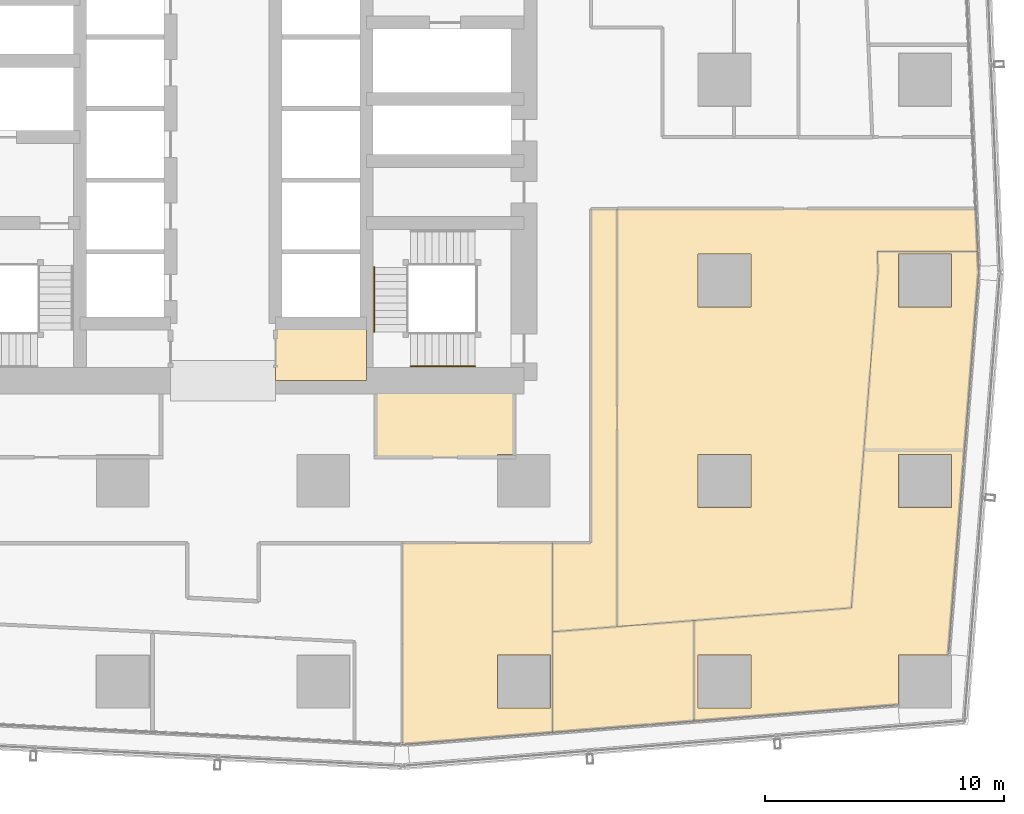
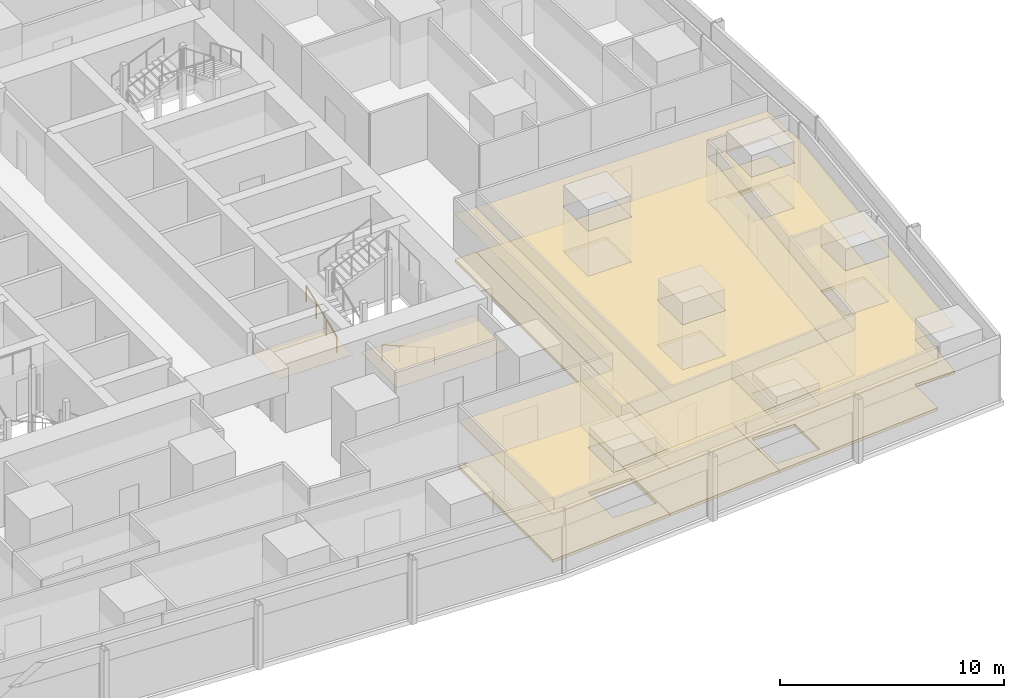
# One storey, part 39 of 45: 12 coverings, 2 railings.
"""IFC4 building model written with IfcOpenShell, lengths in metres."""

from ifc_helpers import new_model, si_unit, direction, frame, origin, origin_2d, place, context, subcontext, project, spatial, polyline, circle, outline, extrude, material, layer, layer_set, type_object, element, save


model = new_model("IFC4")

# Units and contexts
model_context = context("Model", 3, precision=1e-05, world=origin(), true_north=direction((0.0, 1.0)))
body_context = subcontext(model_context, "Body", "Model", "MODEL_VIEW")
ifc_project = project(units=[si_unit("LENGTHUNIT", "METRE"), si_unit("AREAUNIT", "SQUARE_METRE"), si_unit("VOLUMEUNIT", "CUBIC_METRE"), si_unit("PLANEANGLEUNIT", "RADIAN"), si_unit("MASSUNIT", "GRAM", prefix="KILO")], contexts=[model_context])

# Site, building, storey
site_placement = place(None, origin())
site = spatial("IfcSite", under=ifc_project, at=site_placement, CompositionType="ELEMENT")
building_placement = place(site_placement, origin())
building = spatial("IfcBuilding", under=site, at=building_placement, Name="Rekha Terrace Tower", CompositionType="ELEMENT")
storey_placement = place(building_placement, frame((0.0, 0.0, 44.14990234375)))
storey = spatial("IfcBuildingStorey", under=building, at=storey_placement, Name="L10", CompositionType="ELEMENT", Elevation=44.14990234375)

# Coverings
ifc_material_1 = material(Name="Mineral fibre tile in exposed grid", Category="finish")
ifc_layer_1 = layer(ifc_material_1, 0.02001953125)
ifc_layer_set_1 = layer_set([ifc_layer_1], Name="Mineral fibre tile in exposed grid")
covering_type_1 = type_object("IfcCoveringType", Name="CL1 600x1200 office grid ceiling", PredefinedType="CEILING", material=ifc_layer_set_1)
covering_1_placement = place(storey_placement, frame((0.0, 0.0, 2.580078125)))
element("IfcCovering", 1, at=covering_1_placement, inside=storey, type_object=covering_type_1, Name="Ceiling L10-02", PredefinedType="CEILING", context=body_context, shape_type="SweptSolid", body=[
    extrude(outline(polyline([(57.52587890625, 6.743896484375), (57.52587890625, 10.95703125), (51.60302734375, 10.48291015625), (51.60302734375, 6.26904296875), (57.52587890625, 6.743896484375)])), origin(), (0.0, 0.0, 1.0), 0.02001953125),
])
covering_2_placement = place(storey_placement, frame((0.0, 0.0, 2.580078125)))
element("IfcCovering", 2, at=covering_2_placement, inside=storey, type_object=covering_type_1, Name="Ceiling L10-03", PredefinedType="CEILING", context=body_context, shape_type="SweptSolid", body=[
    extrude(outline(polyline([(69.39892578125, 26.419921875), (65.196044921875, 26.419921875), (65.23095703125, 25.595947265625), (64.634033203125, 18.0791015625), (64.111083984375, 11.485107421875), (57.527099609375, 10.95703125), (57.527099609375, 6.743896484375), (66.0849609375, 7.428955078125), (66.0849609375, 9.514892578125), (68.16796875, 9.514892578125), (68.847900390625, 18.0810546875), (69.43798828125, 25.51904296875), (69.39892578125, 26.419921875)]), holes=[polyline([(68.31494140625, 15.68505859375), (66.0849609375, 15.68505859375), (66.0849609375, 17.9150390625), (68.31494140625, 17.9150390625), (68.31494140625, 15.68505859375)]), polyline([(68.31494140625, 24.0849609375), (66.0849609375, 24.0849609375), (66.0849609375, 26.31494140625), (68.31494140625, 26.31494140625), (68.31494140625, 24.0849609375)]), polyline([(59.9150390625, 7.284912109375), (57.68505859375, 7.284912109375), (57.68505859375, 9.514892578125), (59.9150390625, 9.514892578125), (59.9150390625, 7.284912109375)])]), origin(), (0.0, 0.0, 1.0), 0.02001953125),
])
covering_3_placement = place(storey_placement, frame((0.0, 0.0, 2.580078125)))
element("IfcCovering", 3, at=covering_3_placement, inside=storey, type_object=covering_type_1, Name="Ceiling L10-04", PredefinedType="CEILING", context=body_context, shape_type="SweptSolid", body=[
    extrude(outline(polyline([(51.60205078125, 6.26904296875), (51.60205078125, 14.199951171875), (45.304931640625, 14.199951171875), (45.304931640625, 5.764892578125), (51.60205078125, 6.26904296875)]), holes=[polyline([(51.514892578125, 7.284912109375), (49.284912109375, 7.284912109375), (49.284912109375, 9.514892578125), (51.514892578125, 9.514892578125), (51.514892578125, 7.284912109375)])]), origin(), (0.0, 0.0, 1.0), 0.02001953125),
])
covering_4_placement = place(storey_placement, frame((0.0, 0.0, 2.580078125)))
element("IfcCovering", 4, at=covering_4_placement, inside=storey, type_object=covering_type_1, Name="Ceiling L10-05", PredefinedType="CEILING", context=body_context, shape_type="SweptSolid", body=[
    extrude(outline(polyline([(53.199951171875, 28.199951171875), (53.199951171875, 14.199951171875), (51.60205078125, 14.199951171875), (51.60205078125, 10.48291015625), (54.302001953125, 10.698974609375), (54.302001953125, 28.199951171875), (53.199951171875, 28.199951171875)])), origin(), (0.0, 0.0, 1.0), 0.02001953125),
])
covering_5_placement = place(storey_placement, frame((0.0, 0.0, 2.580078125)))
element("IfcCovering", 5, at=covering_5_placement, inside=storey, type_object=covering_type_1, Name="Ceiling L10-O1", PredefinedType="CEILING", context=body_context, shape_type="SweptSolid", body=[
    extrude(outline(polyline([(54.302001953125, 10.698974609375), (57.52587890625, 10.95703125), (64.111083984375, 11.485107421875), (64.634033203125, 18.0791015625), (64.635009765625, 18.0791015625), (65.23095703125, 25.595947265625), (65.196044921875, 26.419921875), (69.39892578125, 26.419921875), (69.322998046875, 28.199951171875), (54.302001953125, 28.199951171875), (54.302001953125, 10.698974609375)]), holes=[polyline([(59.9150390625, 17.9150390625), (59.9150390625, 15.68505859375), (57.68505859375, 15.68505859375), (57.68505859375, 17.9150390625), (59.9150390625, 17.9150390625)]), polyline([(59.9150390625, 24.0849609375), (57.68505859375, 24.0849609375), (57.68505859375, 26.31494140625), (59.9150390625, 26.31494140625), (59.9150390625, 24.0849609375)])]), origin(), (0.0, 0.0, 1.0), 0.02001953125),
])
ifc_material_2 = material(Name="Fibre cement board", Category="finish")
ifc_layer_2 = layer(ifc_material_2, 0.014892578125)
ifc_layer_set_2 = layer_set([ifc_layer_2], Name="Fibre cement board")
covering_type_2 = type_object("IfcCoveringType", Name="CL2 moisture-resistant board ceiling", PredefinedType="CEILING", material=ifc_layer_set_2)
covering_6_placement = place(storey_placement, frame((0.0, 0.0, 2.585205078125)))
element("IfcCovering", 6, at=covering_6_placement, inside=storey, type_object=covering_type_2, Name="Ceiling L10-WCA", PredefinedType="CEILING", context=body_context, shape_type="SweptSolid", body=[
    extrude(outline(polyline([(43.800048828125, 23.39990234375), (40.0, 23.39990234375), (40.0, 21.0), (43.800048828125, 21.0), (43.800048828125, 23.39990234375)])), origin(), (0.0, 0.0, 1.0), 0.014892578125),
])
covering_7_placement = place(storey_placement, frame((0.0, 0.0, 2.585205078125)))
element("IfcCovering", 7, at=covering_7_placement, inside=storey, type_object=covering_type_2, Name="Ceiling L10-WCM2", PredefinedType="CEILING", context=body_context, shape_type="SweptSolid", body=[
    extrude(outline(polyline([(50.0, 21.0), (44.199951171875, 21.0), (44.199951171875, 17.800048828125), (49.284912109375, 17.800048828125), (49.284912109375, 17.9150390625), (50.0, 17.9150390625), (50.0, 21.0)])), origin(), (0.0, 0.0, 1.0), 0.014892578125),
])

# Railings
ifc_material_3 = material(Name="Stainless steel tube", Category="steel")
railing_type = type_object("IfcRailingType", Name="HR1 900 stair handrail", PredefinedType="HANDRAIL", material=ifc_material_3)
railing_1_placement = place(storey_placement, frame((48.35009765625, 21.610107421875, 0.125)))
element("IfcRailing", 8, at=railing_1_placement, inside=storey, type_object=railing_type, Name="Handrail ST3 L10 flight 1", PredefinedType="HANDRAIL", context=body_context, shape_type="SweptSolid", body=[
    extrude(circle(Radius=0.02392578125, at=origin_2d()), frame((0.0, 0.0, 0.8759765625), z_axis=(-0.923086799901, 0.0, 0.38459167938), x_axis=(0.0, -1.0, 0.0)), (0.0, 0.0, 1.0), 2.92529296875),
    extrude(circle(Radius=0.02099609375, at=origin_2d()), origin(), (0.0, 0.0, 1.0), 0.851806640625),
    extrude(circle(Radius=0.02099609375, at=origin_2d()), frame((-0.900146484375, 0.0, 0.375)), (0.0, 0.0, 1.0), 0.851806640625),
    extrude(circle(Radius=0.02099609375, at=origin_2d()), frame((-1.800048828125, 0.0, 0.75)), (0.0, 0.0, 1.0), 0.851806640625),
    extrude(circle(Radius=0.02099609375, at=origin_2d()), frame((-2.7001953125, 0.0, 1.125)), (0.0, 0.0, 1.0), 0.851806640625),
])
railing_2_placement = place(storey_placement, frame((44.135009765625, 23.050048828125, 1.375)))
element("IfcRailing", 9, at=railing_2_placement, inside=storey, type_object=railing_type, Name="Handrail ST3 L10 flight 2", PredefinedType="HANDRAIL", context=body_context, shape_type="SweptSolid", body=[
    extrude(circle(Radius=0.02392578125, at=origin_2d()), frame((0.0, 0.0, 0.8759765625), z_axis=(0.0, 0.923074453586, 0.384621311341), x_axis=(-1.0, 0.0, 0.0)), (0.0, 0.0, 1.0), 2.925048828125),
    extrude(circle(Radius=0.02099609375, at=origin_2d()), origin(), (0.0, 0.0, 1.0), 0.851806640625),
    extrude(circle(Radius=0.02099609375, at=origin_2d()), frame((0.0, 0.89990234375, 0.375)), (0.0, 0.0, 1.0), 0.851806640625),
    extrude(circle(Radius=0.02099609375, at=origin_2d()), frame((0.0, 1.800048828125, 0.75)), (0.0, 0.0, 1.0), 0.851806640625),
    extrude(circle(Radius=0.02099609375, at=origin_2d()), frame((0.0, 2.699951171875, 1.125)), (0.0, 0.0, 1.0), 0.851806640625),
])

# Coverings
ifc_material_4 = material(Name="Calcium sulphate panels on steel pedestals", Category="steel")
ifc_layer_3 = layer(ifc_material_4, 0.14990234375)
ifc_layer_set_3 = layer_set([ifc_layer_3], Name="Calcium sulphate panels on steel pedestals")
covering_type_3 = type_object("IfcCoveringType", Name="RF1 150 raised access floor", PredefinedType="FLOORING", material=ifc_layer_set_3)
covering_8_placement = place(storey_placement, origin())
element("IfcCovering", 10, at=covering_8_placement, inside=storey, type_object=covering_type_3, Name="Raised floor L10-02", PredefinedType="FLOORING", context=body_context, shape_type="SweptSolid", body=[
    extrude(outline(polyline([(57.52587890625, 6.743896484375), (57.52587890625, 10.95703125), (51.60302734375, 10.48291015625), (51.60302734375, 6.26904296875), (57.52587890625, 6.743896484375)])), origin(), (0.0, 0.0, 1.0), 0.150146484375),
])
covering_9_placement = place(storey_placement, origin())
element("IfcCovering", 11, at=covering_9_placement, inside=storey, type_object=covering_type_3, Name="Raised floor L10-03", PredefinedType="FLOORING", context=body_context, shape_type="SweptSolid", body=[
    extrude(outline(polyline([(69.39892578125, 26.419921875), (65.196044921875, 26.419921875), (65.23095703125, 25.595947265625), (64.634033203125, 18.0791015625), (64.111083984375, 11.485107421875), (57.527099609375, 10.95703125), (57.527099609375, 6.743896484375), (66.0849609375, 7.428955078125), (66.0849609375, 9.514892578125), (68.16796875, 9.514892578125), (68.847900390625, 18.0810546875), (69.43798828125, 25.51904296875), (69.39892578125, 26.419921875)]), holes=[polyline([(68.31494140625, 15.68505859375), (66.0849609375, 15.68505859375), (66.0849609375, 17.9150390625), (68.31494140625, 17.9150390625), (68.31494140625, 15.68505859375)]), polyline([(68.31494140625, 24.0849609375), (66.0849609375, 24.0849609375), (66.0849609375, 26.31494140625), (68.31494140625, 26.31494140625), (68.31494140625, 24.0849609375)]), polyline([(59.9150390625, 7.284912109375), (57.68505859375, 7.284912109375), (57.68505859375, 9.514892578125), (59.9150390625, 9.514892578125), (59.9150390625, 7.284912109375)])]), origin(), (0.0, 0.0, 1.0), 0.150146484375),
])
covering_10_placement = place(storey_placement, origin())
element("IfcCovering", 12, at=covering_10_placement, inside=storey, type_object=covering_type_3, Name="Raised floor L10-04", PredefinedType="FLOORING", context=body_context, shape_type="SweptSolid", body=[
    extrude(outline(polyline([(51.60205078125, 6.26904296875), (51.60205078125, 14.199951171875), (45.304931640625, 14.199951171875), (45.304931640625, 5.764892578125), (51.60205078125, 6.26904296875)]), holes=[polyline([(51.514892578125, 7.284912109375), (49.284912109375, 7.284912109375), (49.284912109375, 9.514892578125), (51.514892578125, 9.514892578125), (51.514892578125, 7.284912109375)])]), origin(), (0.0, 0.0, 1.0), 0.150146484375),
])
covering_11_placement = place(storey_placement, origin())
element("IfcCovering", 13, at=covering_11_placement, inside=storey, type_object=covering_type_3, Name="Raised floor L10-05", PredefinedType="FLOORING", context=body_context, shape_type="SweptSolid", body=[
    extrude(outline(polyline([(53.199951171875, 28.199951171875), (53.199951171875, 14.199951171875), (51.60205078125, 14.199951171875), (51.60205078125, 10.48291015625), (54.302001953125, 10.698974609375), (54.302001953125, 28.199951171875), (53.199951171875, 28.199951171875)])), origin(), (0.0, 0.0, 1.0), 0.150146484375),
])
covering_12_placement = place(storey_placement, origin())
element("IfcCovering", 14, at=covering_12_placement, inside=storey, type_object=covering_type_3, Name="Raised floor L10-O1", PredefinedType="FLOORING", context=body_context, shape_type="SweptSolid", body=[
    extrude(outline(polyline([(54.302001953125, 10.698974609375), (57.52587890625, 10.95703125), (64.111083984375, 11.485107421875), (64.634033203125, 18.0791015625), (64.635009765625, 18.0791015625), (65.23095703125, 25.595947265625), (65.196044921875, 26.419921875), (69.39892578125, 26.419921875), (69.322998046875, 28.199951171875), (54.302001953125, 28.199951171875), (54.302001953125, 10.698974609375)]), holes=[polyline([(59.9150390625, 17.9150390625), (59.9150390625, 15.68505859375), (57.68505859375, 15.68505859375), (57.68505859375, 17.9150390625), (59.9150390625, 17.9150390625)]), polyline([(59.9150390625, 24.0849609375), (57.68505859375, 24.0849609375), (57.68505859375, 26.31494140625), (59.9150390625, 26.31494140625), (59.9150390625, 24.0849609375)])]), origin(), (0.0, 0.0, 1.0), 0.150146484375),
])

save(model, "model.ifc")
